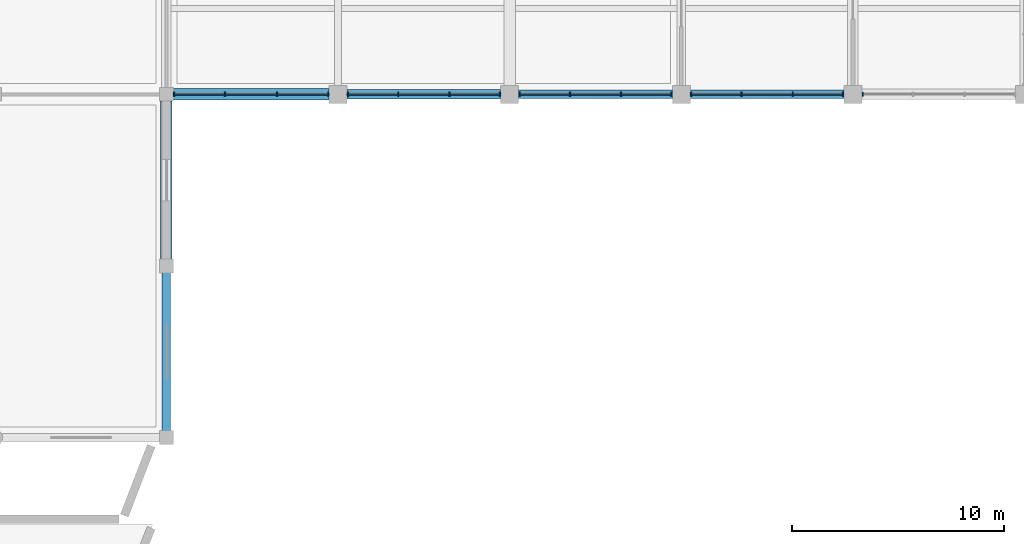
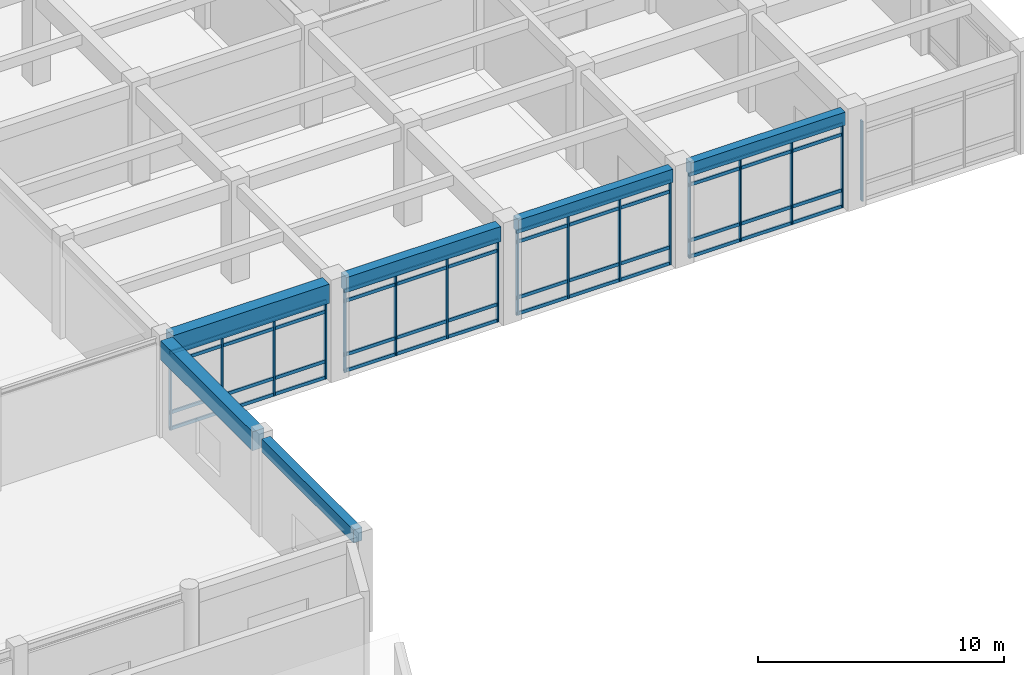
# One storey, part 37 of 99: 33 members, 6 beams, 5 elements without a shape of their own.
"""IFC4 building model written with IfcOpenShell, lengths in metres."""

from ifc_helpers import new_model, si_unit, direction, frame, origin, origin_2d, place, context, subcontext, project, spatial, rectangle, extrude, material, layer, layer_set, material_profile, profile_set, type_object, element, aggregate, save


model = new_model("IFC4")

# Units and contexts
model_context = context("Model", 3, precision=1e-05, world=origin(), true_north=direction((0.0, 1.0)))
body_context = subcontext(model_context, "Body", "Model", "MODEL_VIEW")
ifc_project = project(units=[si_unit("LENGTHUNIT", "METRE"), si_unit("AREAUNIT", "SQUARE_METRE"), si_unit("VOLUMEUNIT", "CUBIC_METRE"), si_unit("PLANEANGLEUNIT", "RADIAN"), si_unit("MASSUNIT", "GRAM", prefix="KILO")], contexts=[model_context])

# Site, building, storey
site_placement = place(None, origin())
site = spatial("IfcSite", under=ifc_project, at=site_placement, CompositionType="ELEMENT")
building_placement = place(site_placement, origin())
building = spatial("IfcBuilding", under=site, at=building_placement, Name="Vaudrelin Polytechnic", CompositionType="ELEMENT")
storey_placement = place(building_placement, origin())
storey = spatial("IfcBuildingStorey", under=building, at=storey_placement, Name="L00", CompositionType="ELEMENT", Elevation=0.0)

# Beams
ifc_material_1 = material(Name="Concrete 40 MPa", Category="concrete")
ifc_material_profile_1 = material_profile(ifc_material_1, rectangle(XDim=0.39990234375, YDim=0.64990234375, at=origin_2d()), Name="RC400x650")
ifc_profile_set_1 = profile_set([ifc_material_profile_1], Name="Concrete 40 MPa")
beam_type_1 = type_object("IfcBeamType", Name="BM-BM-RC4065", PredefinedType="BEAM", material=ifc_profile_set_1)
beam_1_placement = place(storey_placement, frame((146.220947265625, 16.199951171875, 4.4951171875), z_axis=(1.0, 0.0, 0.0), x_axis=(0.0, 1.0, 0.0)))
element("IfcBeam", 1, at=beam_1_placement, inside=storey, type_object=beam_type_1, Name="L00 X-beam 19-3", PredefinedType="BEAM", context=body_context, shape_type="SweptSolid", body=[
    extrude(rectangle(XDim=0.39990234375, YDim=0.64990234375, at=origin_2d()), origin(), (0.0, 0.0, 1.0), 7.258056640625),
])
ifc_material_profile_2 = material_profile(ifc_material_1, rectangle(XDim=0.449951171875, YDim=0.75, at=origin_2d()), Name="RC450x750")
ifc_profile_set_2 = profile_set([ifc_material_profile_2], Name="Concrete 40 MPa")
beam_type_2 = type_object("IfcBeamType", Name="BM-BM-RC4575", PredefinedType="BEAM", material=ifc_profile_set_2)
beam_2_placement = place(storey_placement, frame((138.12109375, 16.199951171875, 4.445068359375), z_axis=(1.0, 0.0, 0.0), x_axis=(0.0, 1.0, 0.0)))
element("IfcBeam", 2, at=beam_2_placement, inside=storey, type_object=beam_type_2, Name="L00 X-beam 18-3", PredefinedType="BEAM", context=body_context, shape_type="SweptSolid", body=[
    extrude(rectangle(XDim=0.449951171875, YDim=0.75, at=origin_2d()), origin(), (0.0, 0.0, 1.0), 7.2578125),
])
ifc_material_2 = material(Name="Concrete 50 MPa", Category="concrete")
ifc_material_profile_3 = material_profile(ifc_material_2, rectangle(XDim=0.550048828125, YDim=0.949951171875, at=origin_2d()), Name="RC550x950")
ifc_profile_set_3 = profile_set([ifc_material_profile_3], Name="Concrete 50 MPa")
beam_type_3 = type_object("IfcBeamType", Name="BM-BM-RC5595", PredefinedType="BEAM", material=ifc_profile_set_3)
beam_3_placement = place(storey_placement, frame((129.60009765625, 8.409912109375, 4.344970703125), z_axis=(0.0, 1.0, 0.0), x_axis=(-1.0, 0.0, 0.0)))
element("IfcBeam", 3, at=beam_3_placement, inside=storey, type_object=beam_type_3, Name="L00 Y-beam 17-2", PredefinedType="BEAM", context=body_context, shape_type="SweptSolid", body=[
    extrude(rectangle(XDim=0.550048828125, YDim=0.949951171875, at=origin_2d()), origin(), (0.0, 0.0, 1.0), 7.47998046875),
])
beam_4_placement = place(storey_placement, frame((129.9208984375, 16.199951171875, 4.344970703125), z_axis=(1.0, 0.0, 0.0), x_axis=(0.0, 1.0, 0.0)))
element("IfcBeam", 4, at=beam_4_placement, inside=storey, type_object=beam_type_3, Name="L00 X-beam 17-3", PredefinedType="BEAM", context=body_context, shape_type="SweptSolid", body=[
    extrude(rectangle(XDim=0.550048828125, YDim=0.949951171875, at=origin_2d()), origin(), (0.0, 0.0, 1.0), 7.358154296875),
])
ifc_material_profile_4 = material_profile(ifc_material_1, rectangle(XDim=0.39990234375, YDim=0.64990234375, at=origin_2d()), Name="RC400x650")
ifc_profile_set_4 = profile_set([ifc_material_profile_4], Name="Concrete 40 MPa")
beam_type_4 = type_object("IfcBeamType", Name="BM-SP-RC4065", PredefinedType="SPANDREL", material=ifc_profile_set_4)
beam_5_placement = place(storey_placement, frame((129.60009765625, 0.31005859375, 4.4951171875), z_axis=(0.0, 1.0, 0.0), x_axis=(-1.0, 0.0, 0.0)))
element("IfcBeam", 5, at=beam_5_placement, inside=storey, type_object=beam_type_4, Name="L00 Y-beam 17-1", PredefinedType="SPANDREL", context=body_context, shape_type="SweptSolid", body=[
    extrude(rectangle(XDim=0.39990234375, YDim=0.64990234375, at=origin_2d()), origin(), (0.0, 0.0, 1.0), 7.47998046875),
])
beam_6_placement = place(storey_placement, frame((154.321044921875, 16.199951171875, 4.4951171875), z_axis=(1.0, 0.0, 0.0), x_axis=(0.0, 1.0, 0.0)))
element("IfcBeam", 6, at=beam_6_placement, inside=storey, type_object=beam_type_4, Name="L00 X-beam 20-3", PredefinedType="SPANDREL", context=body_context, shape_type="SweptSolid", body=[
    extrude(rectangle(XDim=0.39990234375, YDim=0.64990234375, at=origin_2d()), origin(), (0.0, 0.0, 1.0), 7.258056640625),
])

# Curtain wall, members
ifc_material_3 = material(Name="Thermally broken anodised aluminium AA 6063-T6 and low-e triple glazing", Category="aluminium")
ifc_layer = layer(ifc_material_3, 0.199951171875)
ifc_layer_set = layer_set([ifc_layer], Name="Thermally broken anodised aluminium AA 6063-T6 and low-e triple glazing")
curtain_wall_type = type_object("IfcCurtainWallType", Name="CW-CW-LAB", PredefinedType="USERDEFINED", material=ifc_layer_set)
curtain_wall_1_placement = place(storey_placement, origin())
curtain_wall_1 = element("IfcCurtainWall", 7, at=curtain_wall_1_placement, inside=storey, type_object=curtain_wall_type, Name="Curtain wall L00 S_V4_00", ObjectType="CURTAIN WALL", PredefinedType="USERDEFINED")
ifc_material_4 = material(Name="Anodised aluminium AA 6063-T6", Category="aluminium")
ifc_material_profile_5 = material_profile(ifc_material_4, rectangle(XDim=0.06494140625, YDim=0.179931640625, at=origin_2d()), Name="CWM-65x180")
ifc_profile_set_5 = profile_set([ifc_material_profile_5], Name="Anodised aluminium AA 6063-T6")
member_type_1 = type_object("IfcMemberType", Name="MEM-CWM-180", PredefinedType="MULLION", material=ifc_profile_set_5)
member_1_placement = place(storey_placement, frame((129.962890625, 16.199951171875, 0.0), z_axis=(0.0, 0.0, 1.0), x_axis=(1.0, 0.0, 0.0)))
member_1 = element("IfcMember", 8, at=member_1_placement, type_object=member_type_1, Name="S_V4_00 mullion 1", PredefinedType="MULLION", context=body_context, shape_type="SweptSolid", body=[
    extrude(rectangle(XDim=0.06494140625, YDim=0.179931640625, at=origin_2d()), origin(), (0.0, 0.0, 1.0), 3.8720703125),
])
member_2_placement = place(storey_placement, frame((132.374267578125, 16.199951171875, 0.0), z_axis=(0.0, 0.0, 1.0), x_axis=(1.0, 0.0, 0.0)))
member_2 = element("IfcMember", 9, at=member_2_placement, type_object=member_type_1, Name="S_V4_00 mullion 2", PredefinedType="MULLION", context=body_context, shape_type="SweptSolid", body=[
    extrude(rectangle(XDim=0.06494140625, YDim=0.179931640625, at=origin_2d()), origin(), (0.0, 0.0, 1.0), 3.8720703125),
])
member_3_placement = place(storey_placement, frame((134.82568359375, 16.199951171875, 0.0), z_axis=(0.0, 0.0, 1.0), x_axis=(1.0, 0.0, 0.0)))
member_3 = element("IfcMember", 10, at=member_3_placement, type_object=member_type_1, Name="S_V4_00 mullion 3", PredefinedType="MULLION", context=body_context, shape_type="SweptSolid", body=[
    extrude(rectangle(XDim=0.06494140625, YDim=0.179931640625, at=origin_2d()), origin(), (0.0, 0.0, 1.0), 3.8720703125),
])
member_4_placement = place(storey_placement, frame((137.237060546875, 16.199951171875, 0.0), z_axis=(0.0, 0.0, 1.0), x_axis=(1.0, 0.0, 0.0)))
member_4 = element("IfcMember", 11, at=member_4_placement, type_object=member_type_1, Name="S_V4_00 mullion 4", PredefinedType="MULLION", context=body_context, shape_type="SweptSolid", body=[
    extrude(rectangle(XDim=0.06494140625, YDim=0.179931640625, at=origin_2d()), origin(), (0.0, 0.0, 1.0), 3.8720703125),
])

curtain_wall_2_placement = place(storey_placement, origin())
curtain_wall_2 = element("IfcCurtainWall", 12, at=curtain_wall_2_placement, inside=storey, type_object=curtain_wall_type, Name="Curtain wall L00 S_V4_01", ObjectType="CURTAIN WALL", PredefinedType="USERDEFINED")
member_5_placement = place(storey_placement, frame((138.1630859375, 16.199951171875, 0.0), z_axis=(0.0, 0.0, 1.0), x_axis=(1.0, 0.0, 0.0)))
member_5 = element("IfcMember", 13, at=member_5_placement, type_object=member_type_1, Name="S_V4_01 mullion 1", PredefinedType="MULLION", context=body_context, shape_type="SweptSolid", body=[
    extrude(rectangle(XDim=0.06494140625, YDim=0.179931640625, at=origin_2d()), origin(), (0.0, 0.0, 1.0), 4.072021484375),
])
member_6_placement = place(storey_placement, frame((140.541015625, 16.199951171875, 0.0), z_axis=(0.0, 0.0, 1.0), x_axis=(1.0, 0.0, 0.0)))
member_6 = element("IfcMember", 14, at=member_6_placement, type_object=member_type_1, Name="S_V4_01 mullion 2", PredefinedType="MULLION", context=body_context, shape_type="SweptSolid", body=[
    extrude(rectangle(XDim=0.06494140625, YDim=0.179931640625, at=origin_2d()), origin(), (0.0, 0.0, 1.0), 4.072021484375),
])
member_7_placement = place(storey_placement, frame((142.958984375, 16.199951171875, 0.0), z_axis=(0.0, 0.0, 1.0), x_axis=(1.0, 0.0, 0.0)))
member_7 = element("IfcMember", 15, at=member_7_placement, type_object=member_type_1, Name="S_V4_01 mullion 3", PredefinedType="MULLION", context=body_context, shape_type="SweptSolid", body=[
    extrude(rectangle(XDim=0.06494140625, YDim=0.179931640625, at=origin_2d()), origin(), (0.0, 0.0, 1.0), 4.072021484375),
])
member_8_placement = place(storey_placement, frame((145.3369140625, 16.199951171875, 0.0), z_axis=(0.0, 0.0, 1.0), x_axis=(1.0, 0.0, 0.0)))
member_8 = element("IfcMember", 16, at=member_8_placement, type_object=member_type_1, Name="S_V4_01 mullion 4", PredefinedType="MULLION", context=body_context, shape_type="SweptSolid", body=[
    extrude(rectangle(XDim=0.06494140625, YDim=0.179931640625, at=origin_2d()), origin(), (0.0, 0.0, 1.0), 4.072021484375),
])

curtain_wall_3_placement = place(storey_placement, origin())
curtain_wall_3 = element("IfcCurtainWall", 17, at=curtain_wall_3_placement, inside=storey, type_object=curtain_wall_type, Name="Curtain wall L00 S_V4_02", ObjectType="CURTAIN WALL", PredefinedType="USERDEFINED")
member_9_placement = place(storey_placement, frame((146.262939453125, 16.199951171875, 0.0), z_axis=(0.0, 0.0, 1.0), x_axis=(1.0, 0.0, 0.0)))
member_9 = element("IfcMember", 18, at=member_9_placement, type_object=member_type_1, Name="S_V4_02 mullion 1", PredefinedType="MULLION", context=body_context, shape_type="SweptSolid", body=[
    extrude(rectangle(XDim=0.06494140625, YDim=0.179931640625, at=origin_2d()), origin(), (0.0, 0.0, 1.0), 4.172119140625),
])
member_10_placement = place(storey_placement, frame((148.64111328125, 16.199951171875, 0.0), z_axis=(0.0, 0.0, 1.0), x_axis=(1.0, 0.0, 0.0)))
member_10 = element("IfcMember", 19, at=member_10_placement, type_object=member_type_1, Name="S_V4_02 mullion 2", PredefinedType="MULLION", context=body_context, shape_type="SweptSolid", body=[
    extrude(rectangle(XDim=0.06494140625, YDim=0.179931640625, at=origin_2d()), origin(), (0.0, 0.0, 1.0), 4.172119140625),
])
member_11_placement = place(storey_placement, frame((151.05908203125, 16.199951171875, 0.0), z_axis=(0.0, 0.0, 1.0), x_axis=(1.0, 0.0, 0.0)))
member_11 = element("IfcMember", 20, at=member_11_placement, type_object=member_type_1, Name="S_V4_02 mullion 3", PredefinedType="MULLION", context=body_context, shape_type="SweptSolid", body=[
    extrude(rectangle(XDim=0.06494140625, YDim=0.179931640625, at=origin_2d()), origin(), (0.0, 0.0, 1.0), 4.172119140625),
])
member_12_placement = place(storey_placement, frame((153.43701171875, 16.199951171875, 0.0), z_axis=(0.0, 0.0, 1.0), x_axis=(1.0, 0.0, 0.0)))
member_12 = element("IfcMember", 21, at=member_12_placement, type_object=member_type_1, Name="S_V4_02 mullion 4", PredefinedType="MULLION", context=body_context, shape_type="SweptSolid", body=[
    extrude(rectangle(XDim=0.06494140625, YDim=0.179931640625, at=origin_2d()), origin(), (0.0, 0.0, 1.0), 4.172119140625),
])

curtain_wall_4_placement = place(storey_placement, origin())
curtain_wall_4 = element("IfcCurtainWall", 22, at=curtain_wall_4_placement, inside=storey, type_object=curtain_wall_type, Name="Curtain wall L00 S_V4_03", ObjectType="CURTAIN WALL", PredefinedType="USERDEFINED")
member_13_placement = place(storey_placement, frame((154.363037109375, 16.199951171875, 0.0), z_axis=(0.0, 0.0, 1.0), x_axis=(1.0, 0.0, 0.0)))
member_13 = element("IfcMember", 23, at=member_13_placement, type_object=member_type_1, Name="S_V4_03 mullion 1", PredefinedType="MULLION", context=body_context, shape_type="SweptSolid", body=[
    extrude(rectangle(XDim=0.06494140625, YDim=0.179931640625, at=origin_2d()), origin(), (0.0, 0.0, 1.0), 4.172119140625),
])
member_14_placement = place(storey_placement, frame((156.740966796875, 16.199951171875, 0.0), z_axis=(0.0, 0.0, 1.0), x_axis=(1.0, 0.0, 0.0)))
member_14 = element("IfcMember", 24, at=member_14_placement, type_object=member_type_1, Name="S_V4_03 mullion 2", PredefinedType="MULLION", context=body_context, shape_type="SweptSolid", body=[
    extrude(rectangle(XDim=0.06494140625, YDim=0.179931640625, at=origin_2d()), origin(), (0.0, 0.0, 1.0), 4.172119140625),
])
member_15_placement = place(storey_placement, frame((159.158935546875, 16.199951171875, 0.0), z_axis=(0.0, 0.0, 1.0), x_axis=(1.0, 0.0, 0.0)))
member_15 = element("IfcMember", 25, at=member_15_placement, type_object=member_type_1, Name="S_V4_03 mullion 3", PredefinedType="MULLION", context=body_context, shape_type="SweptSolid", body=[
    extrude(rectangle(XDim=0.06494140625, YDim=0.179931640625, at=origin_2d()), origin(), (0.0, 0.0, 1.0), 4.172119140625),
])
member_16_placement = place(storey_placement, frame((161.537109375, 16.199951171875, 0.0), z_axis=(0.0, 0.0, 1.0), x_axis=(1.0, 0.0, 0.0)))
member_16 = element("IfcMember", 26, at=member_16_placement, type_object=member_type_1, Name="S_V4_03 mullion 4", PredefinedType="MULLION", context=body_context, shape_type="SweptSolid", body=[
    extrude(rectangle(XDim=0.06494140625, YDim=0.179931640625, at=origin_2d()), origin(), (0.0, 0.0, 1.0), 4.172119140625),
])

# Curtain wall, member
curtain_wall_5_placement = place(storey_placement, origin())
curtain_wall_5 = element("IfcCurtainWall", 27, at=curtain_wall_5_placement, inside=storey, type_object=curtain_wall_type, Name="Curtain wall L00 S_V4_04", ObjectType="CURTAIN WALL", PredefinedType="USERDEFINED")
member_17_placement = place(storey_placement, frame((162.462890625, 16.199951171875, 0.0), z_axis=(0.0, 0.0, 1.0), x_axis=(1.0, 0.0, 0.0)))
member_17 = element("IfcMember", 28, at=member_17_placement, type_object=member_type_1, Name="S_V4_04 mullion 1", PredefinedType="MULLION", context=body_context, shape_type="SweptSolid", body=[
    extrude(rectangle(XDim=0.06494140625, YDim=0.179931640625, at=origin_2d()), origin(), (0.0, 0.0, 1.0), 3.971923828125),
])
aggregate(curtain_wall_5, [member_17])

# Member
ifc_material_profile_6 = material_profile(ifc_material_4, rectangle(XDim=0.074951171875, YDim=0.1650390625, at=origin_2d()), Name="CWT-75x165")
ifc_profile_set_6 = profile_set([ifc_material_profile_6], Name="Anodised aluminium AA 6063-T6")
member_type_2 = type_object("IfcMemberType", Name="MEM-CWT-165", PredefinedType="USERDEFINED", material=ifc_profile_set_6)
member_18_placement = place(storey_placement, frame((129.923095703125, 16.199951171875, 0.050048828125), z_axis=(1.0, 0.0, 0.0), x_axis=(0.0, 1.0, 0.0)))
member_18 = element("IfcMember", 29, at=member_18_placement, type_object=member_type_2, Name="S_V4_00 transom 1", ObjectType="TRANSOM", PredefinedType="USERDEFINED", context=body_context, shape_type="SweptSolid", body=[
    extrude(rectangle(XDim=0.074951171875, YDim=0.1650390625, at=origin_2d()), origin(), (0.0, 0.0, 1.0), 7.35400390625),
])

member_19_placement = place(storey_placement, frame((129.923095703125, 16.199951171875, 0.85009765625), z_axis=(1.0, 0.0, 0.0), x_axis=(0.0, 1.0, 0.0)))
member_19 = element("IfcMember", 30, at=member_19_placement, type_object=member_type_2, Name="S_V4_00 transom 2", ObjectType="TRANSOM", PredefinedType="USERDEFINED", context=body_context, shape_type="SweptSolid", body=[
    extrude(rectangle(XDim=0.074951171875, YDim=0.1650390625, at=origin_2d()), origin(), (0.0, 0.0, 1.0), 7.35400390625),
])

member_20_placement = place(storey_placement, frame((129.923095703125, 16.199951171875, 3.322021484375), z_axis=(1.0, 0.0, 0.0), x_axis=(0.0, 1.0, 0.0)))
member_20 = element("IfcMember", 31, at=member_20_placement, type_object=member_type_2, Name="S_V4_00 transom 3", ObjectType="TRANSOM", PredefinedType="USERDEFINED", context=body_context, shape_type="SweptSolid", body=[
    extrude(rectangle(XDim=0.074951171875, YDim=0.1650390625, at=origin_2d()), origin(), (0.0, 0.0, 1.0), 7.35400390625),
])

member_21_placement = place(storey_placement, frame((129.923095703125, 16.199951171875, 3.822021484375), z_axis=(1.0, 0.0, 0.0), x_axis=(0.0, 1.0, 0.0)))
member_21 = element("IfcMember", 32, at=member_21_placement, type_object=member_type_2, Name="S_V4_00 transom 4", ObjectType="TRANSOM", PredefinedType="USERDEFINED", context=body_context, shape_type="SweptSolid", body=[
    extrude(rectangle(XDim=0.074951171875, YDim=0.1650390625, at=origin_2d()), origin(), (0.0, 0.0, 1.0), 7.35400390625),
])

aggregate(curtain_wall_1, [member_1, member_2, member_3, member_4, member_18, member_19, member_20, member_21])

member_22_placement = place(storey_placement, frame((138.123046875, 16.199951171875, 0.050048828125), z_axis=(1.0, 0.0, 0.0), x_axis=(0.0, 1.0, 0.0)))
member_22 = element("IfcMember", 33, at=member_22_placement, type_object=member_type_2, Name="S_V4_01 transom 1", ObjectType="TRANSOM", PredefinedType="USERDEFINED", context=body_context, shape_type="SweptSolid", body=[
    extrude(rectangle(XDim=0.074951171875, YDim=0.1650390625, at=origin_2d()), origin(), (0.0, 0.0, 1.0), 7.25390625),
])

member_23_placement = place(storey_placement, frame((138.123046875, 16.199951171875, 0.85009765625), z_axis=(1.0, 0.0, 0.0), x_axis=(0.0, 1.0, 0.0)))
member_23 = element("IfcMember", 34, at=member_23_placement, type_object=member_type_2, Name="S_V4_01 transom 2", ObjectType="TRANSOM", PredefinedType="USERDEFINED", context=body_context, shape_type="SweptSolid", body=[
    extrude(rectangle(XDim=0.074951171875, YDim=0.1650390625, at=origin_2d()), origin(), (0.0, 0.0, 1.0), 7.25390625),
])

member_24_placement = place(storey_placement, frame((138.123046875, 16.199951171875, 3.52197265625), z_axis=(1.0, 0.0, 0.0), x_axis=(0.0, 1.0, 0.0)))
member_24 = element("IfcMember", 35, at=member_24_placement, type_object=member_type_2, Name="S_V4_01 transom 3", ObjectType="TRANSOM", PredefinedType="USERDEFINED", context=body_context, shape_type="SweptSolid", body=[
    extrude(rectangle(XDim=0.074951171875, YDim=0.1650390625, at=origin_2d()), origin(), (0.0, 0.0, 1.0), 7.25390625),
])

member_25_placement = place(storey_placement, frame((138.123046875, 16.199951171875, 4.02197265625), z_axis=(1.0, 0.0, 0.0), x_axis=(0.0, 1.0, 0.0)))
member_25 = element("IfcMember", 36, at=member_25_placement, type_object=member_type_2, Name="S_V4_01 transom 4", ObjectType="TRANSOM", PredefinedType="USERDEFINED", context=body_context, shape_type="SweptSolid", body=[
    extrude(rectangle(XDim=0.074951171875, YDim=0.1650390625, at=origin_2d()), origin(), (0.0, 0.0, 1.0), 7.25390625),
])

aggregate(curtain_wall_2, [member_5, member_6, member_7, member_8, member_22, member_23, member_24, member_25])

member_26_placement = place(storey_placement, frame((146.222900390625, 16.199951171875, 0.050048828125), z_axis=(1.0, 0.0, 0.0), x_axis=(0.0, 1.0, 0.0)))
member_26 = element("IfcMember", 37, at=member_26_placement, type_object=member_type_2, Name="S_V4_02 transom 1", ObjectType="TRANSOM", PredefinedType="USERDEFINED", context=body_context, shape_type="SweptSolid", body=[
    extrude(rectangle(XDim=0.074951171875, YDim=0.1650390625, at=origin_2d()), origin(), (0.0, 0.0, 1.0), 7.254150390625),
])

member_27_placement = place(storey_placement, frame((146.222900390625, 16.199951171875, 0.85009765625), z_axis=(1.0, 0.0, 0.0), x_axis=(0.0, 1.0, 0.0)))
member_27 = element("IfcMember", 38, at=member_27_placement, type_object=member_type_2, Name="S_V4_02 transom 2", ObjectType="TRANSOM", PredefinedType="USERDEFINED", context=body_context, shape_type="SweptSolid", body=[
    extrude(rectangle(XDim=0.074951171875, YDim=0.1650390625, at=origin_2d()), origin(), (0.0, 0.0, 1.0), 7.254150390625),
])

member_28_placement = place(storey_placement, frame((146.222900390625, 16.199951171875, 3.6220703125), z_axis=(1.0, 0.0, 0.0), x_axis=(0.0, 1.0, 0.0)))
member_28 = element("IfcMember", 39, at=member_28_placement, type_object=member_type_2, Name="S_V4_02 transom 3", ObjectType="TRANSOM", PredefinedType="USERDEFINED", context=body_context, shape_type="SweptSolid", body=[
    extrude(rectangle(XDim=0.074951171875, YDim=0.1650390625, at=origin_2d()), origin(), (0.0, 0.0, 1.0), 7.254150390625),
])

member_29_placement = place(storey_placement, frame((146.222900390625, 16.199951171875, 4.1220703125), z_axis=(1.0, 0.0, 0.0), x_axis=(0.0, 1.0, 0.0)))
member_29 = element("IfcMember", 40, at=member_29_placement, type_object=member_type_2, Name="S_V4_02 transom 4", ObjectType="TRANSOM", PredefinedType="USERDEFINED", context=body_context, shape_type="SweptSolid", body=[
    extrude(rectangle(XDim=0.074951171875, YDim=0.1650390625, at=origin_2d()), origin(), (0.0, 0.0, 1.0), 7.254150390625),
])

aggregate(curtain_wall_3, [member_9, member_10, member_11, member_12, member_26, member_27, member_28, member_29])

member_30_placement = place(storey_placement, frame((154.322998046875, 16.199951171875, 0.050048828125), z_axis=(1.0, 0.0, 0.0), x_axis=(0.0, 1.0, 0.0)))
member_30 = element("IfcMember", 41, at=member_30_placement, type_object=member_type_2, Name="S_V4_03 transom 1", ObjectType="TRANSOM", PredefinedType="USERDEFINED", context=body_context, shape_type="SweptSolid", body=[
    extrude(rectangle(XDim=0.074951171875, YDim=0.1650390625, at=origin_2d()), origin(), (0.0, 0.0, 1.0), 7.25390625),
])

member_31_placement = place(storey_placement, frame((154.322998046875, 16.199951171875, 0.85009765625), z_axis=(1.0, 0.0, 0.0), x_axis=(0.0, 1.0, 0.0)))
member_31 = element("IfcMember", 42, at=member_31_placement, type_object=member_type_2, Name="S_V4_03 transom 2", ObjectType="TRANSOM", PredefinedType="USERDEFINED", context=body_context, shape_type="SweptSolid", body=[
    extrude(rectangle(XDim=0.074951171875, YDim=0.1650390625, at=origin_2d()), origin(), (0.0, 0.0, 1.0), 7.25390625),
])

member_32_placement = place(storey_placement, frame((154.322998046875, 16.199951171875, 3.6220703125), z_axis=(1.0, 0.0, 0.0), x_axis=(0.0, 1.0, 0.0)))
member_32 = element("IfcMember", 43, at=member_32_placement, type_object=member_type_2, Name="S_V4_03 transom 3", ObjectType="TRANSOM", PredefinedType="USERDEFINED", context=body_context, shape_type="SweptSolid", body=[
    extrude(rectangle(XDim=0.074951171875, YDim=0.1650390625, at=origin_2d()), origin(), (0.0, 0.0, 1.0), 7.25390625),
])

member_33_placement = place(storey_placement, frame((154.322998046875, 16.199951171875, 4.1220703125), z_axis=(1.0, 0.0, 0.0), x_axis=(0.0, 1.0, 0.0)))
member_33 = element("IfcMember", 44, at=member_33_placement, type_object=member_type_2, Name="S_V4_03 transom 4", ObjectType="TRANSOM", PredefinedType="USERDEFINED", context=body_context, shape_type="SweptSolid", body=[
    extrude(rectangle(XDim=0.074951171875, YDim=0.1650390625, at=origin_2d()), origin(), (0.0, 0.0, 1.0), 7.25390625),
])

aggregate(curtain_wall_4, [member_13, member_14, member_15, member_16, member_30, member_31, member_32, member_33])

save(model, "model.ifc")
